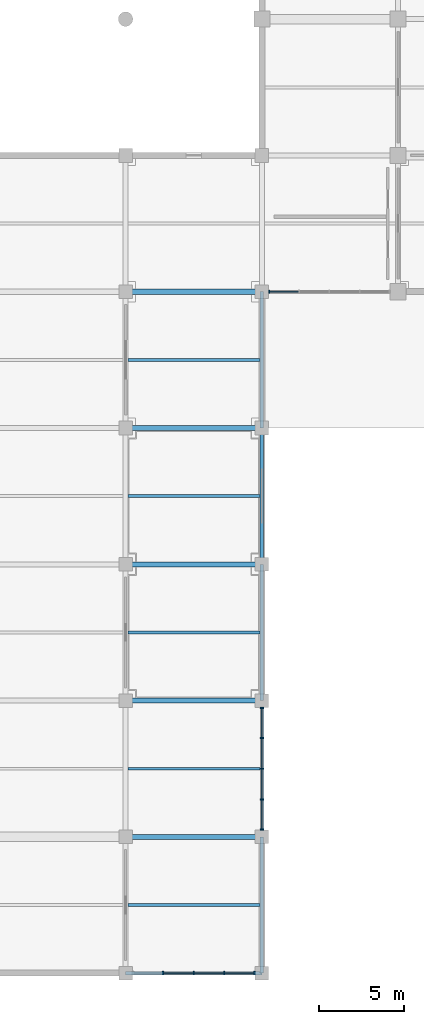
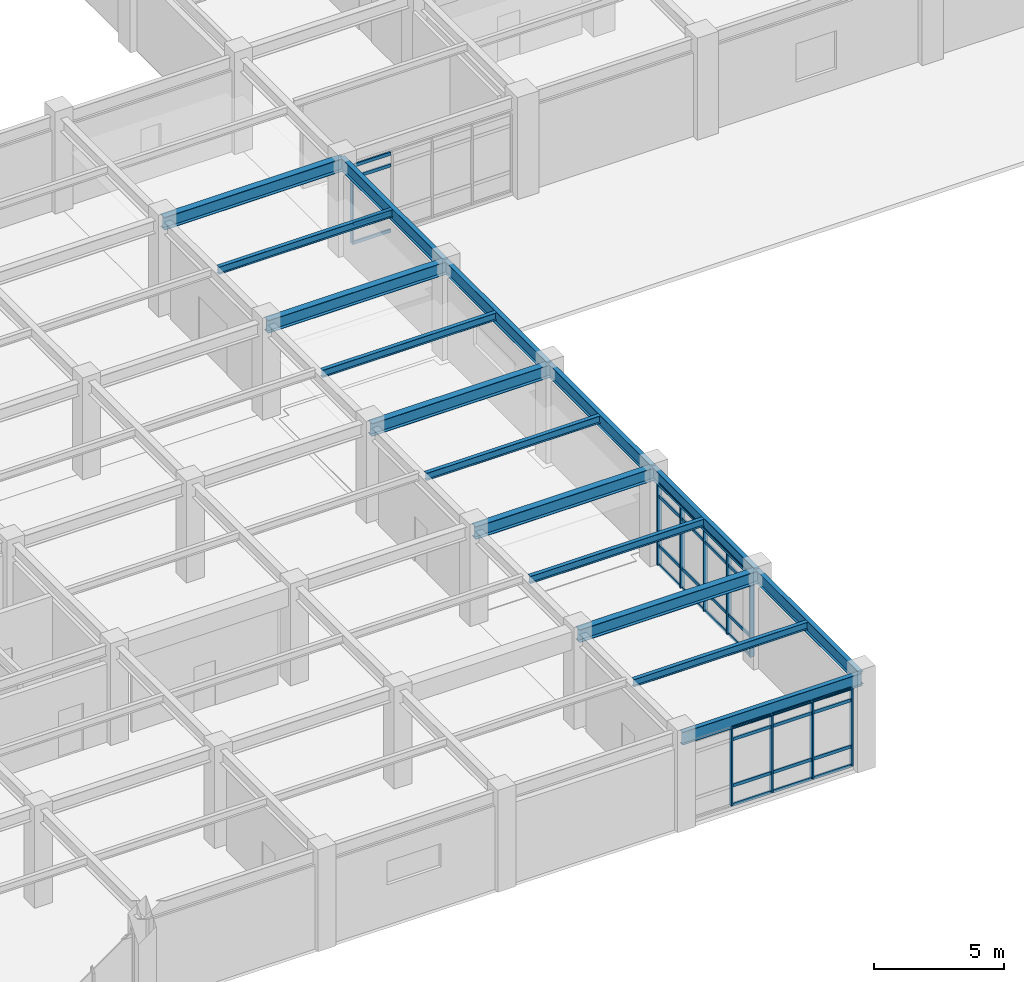
# One storey, part 26 of 109: 42 members, 16 beams, 3 elements without a shape of their own.
"""IFC4 building model written with IfcOpenShell, lengths in metres."""

from ifc_helpers import new_model, si_unit, direction, frame, origin, origin_2d, place, context, subcontext, project, spatial, rectangle, i_section, extrude, material, layer, layer_set, material_profile, profile_set, type_object, element, aggregate, save


model = new_model("IFC4")

# Units and contexts
model_context = context("Model", 3, precision=1e-05, world=origin(), true_north=direction((0.0, 1.0)))
body_context = subcontext(model_context, "Body", "Model", "MODEL_VIEW")
ifc_project = project(units=[si_unit("LENGTHUNIT", "METRE"), si_unit("AREAUNIT", "SQUARE_METRE"), si_unit("VOLUMEUNIT", "CUBIC_METRE"), si_unit("PLANEANGLEUNIT", "RADIAN"), si_unit("MASSUNIT", "GRAM", prefix="KILO")], contexts=[model_context])

# Site, building, storey
site_placement = place(None, origin())
site = spatial("IfcSite", under=ifc_project, at=site_placement, CompositionType="ELEMENT")
building_placement = place(site_placement, origin())
building = spatial("IfcBuilding", under=site, at=building_placement, Name="Haebicheon Civic Stadium", CompositionType="ELEMENT")
storey_placement = place(building_placement, frame((0.0, 0.0, 9.60009765625)))
storey = spatial("IfcBuildingStorey", under=building, at=storey_placement, Name="L03", CompositionType="ELEMENT", Elevation=9.60009765625)

# Beams
ifc_material_1 = material(Name="Steel SM355 (S355)", Category="steel")
ifc_material_profile_1 = material_profile(ifc_material_1, i_section(OverallWidth=0.300048828125, OverallDepth=0.60009765625, WebThickness=0.011962890625, FlangeThickness=0.02001953125, at=origin_2d()), Name="H-600x300x12x20")
ifc_profile_set_1 = profile_set([ifc_material_profile_1], Name="Steel SM355 (S355)")
beam_type_1 = type_object("IfcBeamType", Name="BM-ST-H600A", PredefinedType="BEAM", material=ifc_profile_set_1)
for number, where, z_axis, x_axis, name in (
    (1, (192.0, 8.0, 4.099853515625), (1.0, 0.0, 0.0), (0.0, 1.0, 0.0), "L03 beam B/25-26"),
    (2, (192.0, 16.0, 4.099853515625), (1.0, 0.0, 0.0), (0.0, 1.0, 0.0), "L03 beam C/25-26"),
    (3, (192.0, 24.0, 4.099853515625), (1.0, 0.0, 0.0), (0.0, 1.0, 0.0), "L03 beam D/25-26"),
    (4, (192.0, 32.0, 4.099853515625), (1.0, 0.0, 0.0), (0.0, 1.0, 0.0), "L03 beam E/25-26"),
    (5, (192.0, 40.0, 4.099853515625), (1.0, 0.0, 0.0), (0.0, 1.0, 0.0), "L03 beam F/25-26"),
):
    element("IfcBeam", number, at=place(storey_placement, frame(where, z_axis=z_axis, x_axis=x_axis)), inside=storey, type_object=beam_type_1, material=ifc_profile_set_1, Name=name, PredefinedType="BEAM", context=body_context, shape_type="SweptSolid", body=[
        extrude(i_section(OverallWidth=0.300048828125, OverallDepth=0.60009765625, WebThickness=0.011962890625, FlangeThickness=0.02001953125, at=origin_2d()), origin(), (0.0, 0.0, 1.0), 8.0),
    ])

# Curtain wall, members
ifc_material_2 = material(Name="Anodised aluminium and laminated glass", Category="aluminium")
ifc_layer_1 = layer(ifc_material_2, 0.179931640625, Name="Anodised aluminium and laminated glass")
ifc_layer_set_1 = layer_set([ifc_layer_1], Name="Anodised aluminium and laminated glass")
curtain_wall_type_1 = type_object("IfcCurtainWallType", Name="CW-7200x3630", PredefinedType="NOTDEFINED", material=ifc_layer_set_1)
curtain_wall_1_placement = place(storey_placement, origin())
curtain_wall_1 = element("IfcCurtainWall", 6, at=curtain_wall_1_placement, inside=storey, type_object=curtain_wall_type_1, material=ifc_layer_set_1, Name="L03 unitised curtain wall 094", PredefinedType="NOTDEFINED")
ifc_material_3 = material(Name="Anodised aluminium 6063-T6", Category="aluminium")
ifc_material_profile_2 = material_profile(ifc_material_3, rectangle(XDim=0.070068359375, YDim=0.199951171875, at=origin_2d()), Name="ALU-MULL-70x200")
ifc_profile_set_2 = profile_set([ifc_material_profile_2], Name="Anodised aluminium 6063-T6")
member_type_1 = type_object("IfcMemberType", Name="CWM-200x70", PredefinedType="MULLION", material=ifc_profile_set_2)
member_1_placement = place(storey_placement, frame((194.199951171875, 0.0, 0.159912109375), z_axis=(0.0, 0.0, 1.0), x_axis=(1.0, 0.0, 0.0)))
member_1 = element("IfcMember", 7, at=member_1_placement, type_object=member_type_1, material=ifc_profile_set_2, Name="CW-L03-094 vertical mullion 2", PredefinedType="MULLION", context=body_context, shape_type="SweptSolid", body=[
    extrude(rectangle(XDim=0.070068359375, YDim=0.199951171875, at=origin_2d()), origin(), (0.0, 0.0, 1.0), 3.6298828125),
])
member_2_placement = place(storey_placement, frame((196.0, 0.0, 0.159912109375), z_axis=(0.0, 0.0, 1.0), x_axis=(1.0, 0.0, 0.0)))
member_2 = element("IfcMember", 8, at=member_2_placement, type_object=member_type_1, material=ifc_profile_set_2, Name="CW-L03-094 vertical mullion 3", PredefinedType="MULLION", context=body_context, shape_type="SweptSolid", body=[
    extrude(rectangle(XDim=0.070068359375, YDim=0.199951171875, at=origin_2d()), origin(), (0.0, 0.0, 1.0), 3.6298828125),
])
member_3_placement = place(storey_placement, frame((197.800048828125, 0.0, 0.159912109375), z_axis=(0.0, 0.0, 1.0), x_axis=(1.0, 0.0, 0.0)))
member_3 = element("IfcMember", 9, at=member_3_placement, type_object=member_type_1, material=ifc_profile_set_2, Name="CW-L03-094 vertical mullion 4", PredefinedType="MULLION", context=body_context, shape_type="SweptSolid", body=[
    extrude(rectangle(XDim=0.070068359375, YDim=0.199951171875, at=origin_2d()), origin(), (0.0, 0.0, 1.0), 3.6298828125),
])
member_4_placement = place(storey_placement, frame((199.56494140625, 0.0, 0.159912109375), z_axis=(0.0, 0.0, 1.0), x_axis=(1.0, 0.0, 0.0)))
member_4 = element("IfcMember", 10, at=member_4_placement, type_object=member_type_1, material=ifc_profile_set_2, Name="CW-L03-094 vertical mullion 5", PredefinedType="MULLION", context=body_context, shape_type="SweptSolid", body=[
    extrude(rectangle(XDim=0.070068359375, YDim=0.199951171875, at=origin_2d()), origin(), (0.0, 0.0, 1.0), 3.6298828125),
])

ifc_material_4 = material(Name="Anodised aluminium and laminated glass", Category="aluminium")
ifc_layer_2 = layer(ifc_material_4, 0.179931640625, Name="Anodised aluminium and laminated glass")
ifc_layer_set_2 = layer_set([ifc_layer_2], Name="Anodised aluminium and laminated glass")
curtain_wall_type_2 = type_object("IfcCurtainWallType", Name="CW-7200x3790", PredefinedType="NOTDEFINED", material=ifc_layer_set_2)
curtain_wall_2_placement = place(storey_placement, origin())
curtain_wall_2 = element("IfcCurtainWall", 11, at=curtain_wall_2_placement, inside=storey, type_object=curtain_wall_type_2, material=ifc_layer_set_2, Name="L03 unitised curtain wall 095", PredefinedType="NOTDEFINED")
member_5_placement = place(storey_placement, frame((200.0, 8.43505859375, 0.0), z_axis=(0.0, 0.0, 1.0), x_axis=(0.0, 1.0, 0.0)))
member_5 = element("IfcMember", 12, at=member_5_placement, type_object=member_type_1, material=ifc_profile_set_2, Name="CW-L03-095 vertical mullion 1", PredefinedType="MULLION", context=body_context, shape_type="SweptSolid", body=[
    extrude(rectangle(XDim=0.070068359375, YDim=0.199951171875, at=origin_2d()), origin(), (0.0, 0.0, 1.0), 3.789794921875),
])
member_6_placement = place(storey_placement, frame((200.0, 10.199951171875, 0.0), z_axis=(0.0, 0.0, 1.0), x_axis=(0.0, 1.0, 0.0)))
member_6 = element("IfcMember", 13, at=member_6_placement, type_object=member_type_1, material=ifc_profile_set_2, Name="CW-L03-095 vertical mullion 2", PredefinedType="MULLION", context=body_context, shape_type="SweptSolid", body=[
    extrude(rectangle(XDim=0.070068359375, YDim=0.199951171875, at=origin_2d()), origin(), (0.0, 0.0, 1.0), 3.789794921875),
])
member_7_placement = place(storey_placement, frame((200.0, 12.0, 0.0), z_axis=(0.0, 0.0, 1.0), x_axis=(0.0, 1.0, 0.0)))
member_7 = element("IfcMember", 14, at=member_7_placement, type_object=member_type_1, material=ifc_profile_set_2, Name="CW-L03-095 vertical mullion 3", PredefinedType="MULLION", context=body_context, shape_type="SweptSolid", body=[
    extrude(rectangle(XDim=0.070068359375, YDim=0.199951171875, at=origin_2d()), origin(), (0.0, 0.0, 1.0), 3.789794921875),
])
member_8_placement = place(storey_placement, frame((200.0, 13.800048828125, 0.0), z_axis=(0.0, 0.0, 1.0), x_axis=(0.0, 1.0, 0.0)))
member_8 = element("IfcMember", 15, at=member_8_placement, type_object=member_type_1, material=ifc_profile_set_2, Name="CW-L03-095 vertical mullion 4", PredefinedType="MULLION", context=body_context, shape_type="SweptSolid", body=[
    extrude(rectangle(XDim=0.070068359375, YDim=0.199951171875, at=origin_2d()), origin(), (0.0, 0.0, 1.0), 3.789794921875),
])
member_9_placement = place(storey_placement, frame((200.0, 15.56494140625, 0.0), z_axis=(0.0, 0.0, 1.0), x_axis=(0.0, 1.0, 0.0)))
member_9 = element("IfcMember", 16, at=member_9_placement, type_object=member_type_1, material=ifc_profile_set_2, Name="CW-L03-095 vertical mullion 5", PredefinedType="MULLION", context=body_context, shape_type="SweptSolid", body=[
    extrude(rectangle(XDim=0.070068359375, YDim=0.199951171875, at=origin_2d()), origin(), (0.0, 0.0, 1.0), 3.789794921875),
])

# Curtain wall, member
ifc_material_5 = material(Name="Anodised aluminium and laminated glass", Category="aluminium")
ifc_layer_3 = layer(ifc_material_5, 0.179931640625, Name="Anodised aluminium and laminated glass")
ifc_layer_set_3 = layer_set([ifc_layer_3], Name="Anodised aluminium and laminated glass")
curtain_wall_type_3 = type_object("IfcCurtainWallType", Name="CW-7125x3630", PredefinedType="NOTDEFINED", material=ifc_layer_set_3)
curtain_wall_3_placement = place(storey_placement, origin())
curtain_wall_3 = element("IfcCurtainWall", 17, at=curtain_wall_3_placement, inside=storey, type_object=curtain_wall_type_3, material=ifc_layer_set_3, Name="L03 unitised curtain wall 097", PredefinedType="NOTDEFINED")
member_10_placement = place(storey_placement, frame((200.43505859375, 40.0, 0.159912109375), z_axis=(0.0, 0.0, 1.0), x_axis=(1.0, 0.0, 0.0)))
member_10 = element("IfcMember", 18, at=member_10_placement, type_object=member_type_1, material=ifc_profile_set_2, Name="CW-L03-097 vertical mullion 1", PredefinedType="MULLION", context=body_context, shape_type="SweptSolid", body=[
    extrude(rectangle(XDim=0.070068359375, YDim=0.199951171875, at=origin_2d()), origin(), (0.0, 0.0, 1.0), 3.6298828125),
])

# Member
ifc_material_6 = material(Name="Anodised aluminium 6063-T6", Category="aluminium")
ifc_material_profile_3 = material_profile(ifc_material_6, rectangle(XDim=0.070068359375, YDim=0.14990234375, at=origin_2d()), Name="ALU-TRAN-70x150")
ifc_profile_set_3 = profile_set([ifc_material_profile_3], Name="Anodised aluminium 6063-T6")
member_type_2 = type_object("IfcMemberType", Name="CWT-150x70", PredefinedType="NOTDEFINED", material=ifc_profile_set_3)
member_11_placement = place(storey_placement, frame((194.235107421875, 0.0, 0.159912109375), z_axis=(1.0, 0.0, 0.0), x_axis=(0.0, 1.0, 0.0)))
member_11 = element("IfcMember", 19, at=member_11_placement, type_object=member_type_2, material=ifc_profile_set_3, Name="CW-L03-094 horizontal transom 2.1", ObjectType="TRANSOM", PredefinedType="USERDEFINED", context=body_context, shape_type="SweptSolid", body=[
    extrude(rectangle(XDim=0.070068359375, YDim=0.14990234375, at=origin_2d()), origin(), (0.0, 0.0, 1.0), 1.72998046875),
])

member_12_placement = place(storey_placement, frame((194.235107421875, 0.0, 1.059814453125), z_axis=(1.0, 0.0, 0.0), x_axis=(0.0, 1.0, 0.0)))
member_12 = element("IfcMember", 20, at=member_12_placement, type_object=member_type_2, material=ifc_profile_set_3, Name="CW-L03-094 horizontal transom 2.2", ObjectType="TRANSOM", PredefinedType="USERDEFINED", context=body_context, shape_type="SweptSolid", body=[
    extrude(rectangle(XDim=0.070068359375, YDim=0.14990234375, at=origin_2d()), origin(), (0.0, 0.0, 1.0), 1.72998046875),
])

member_13_placement = place(storey_placement, frame((194.235107421875, 0.0, 3.239990234375), z_axis=(1.0, 0.0, 0.0), x_axis=(0.0, 1.0, 0.0)))
member_13 = element("IfcMember", 21, at=member_13_placement, type_object=member_type_2, material=ifc_profile_set_3, Name="CW-L03-094 horizontal transom 2.3", ObjectType="TRANSOM", PredefinedType="USERDEFINED", context=body_context, shape_type="SweptSolid", body=[
    extrude(rectangle(XDim=0.070068359375, YDim=0.14990234375, at=origin_2d()), origin(), (0.0, 0.0, 1.0), 1.72998046875),
])

member_14_placement = place(storey_placement, frame((194.235107421875, 0.0, 3.789794921875), z_axis=(1.0, 0.0, 0.0), x_axis=(0.0, 1.0, 0.0)))
member_14 = element("IfcMember", 22, at=member_14_placement, type_object=member_type_2, material=ifc_profile_set_3, Name="CW-L03-094 horizontal transom 2.4", ObjectType="TRANSOM", PredefinedType="USERDEFINED", context=body_context, shape_type="SweptSolid", body=[
    extrude(rectangle(XDim=0.070068359375, YDim=0.14990234375, at=origin_2d()), origin(), (0.0, 0.0, 1.0), 1.72998046875),
])

member_15_placement = place(storey_placement, frame((196.034912109375, 0.0, 0.159912109375), z_axis=(1.0, 0.0, 0.0), x_axis=(0.0, 1.0, 0.0)))
member_15 = element("IfcMember", 23, at=member_15_placement, type_object=member_type_2, material=ifc_profile_set_3, Name="CW-L03-094 horizontal transom 3.1", ObjectType="TRANSOM", PredefinedType="USERDEFINED", context=body_context, shape_type="SweptSolid", body=[
    extrude(rectangle(XDim=0.070068359375, YDim=0.14990234375, at=origin_2d()), origin(), (0.0, 0.0, 1.0), 1.72998046875),
])

member_16_placement = place(storey_placement, frame((196.034912109375, 0.0, 1.059814453125), z_axis=(1.0, 0.0, 0.0), x_axis=(0.0, 1.0, 0.0)))
member_16 = element("IfcMember", 24, at=member_16_placement, type_object=member_type_2, material=ifc_profile_set_3, Name="CW-L03-094 horizontal transom 3.2", ObjectType="TRANSOM", PredefinedType="USERDEFINED", context=body_context, shape_type="SweptSolid", body=[
    extrude(rectangle(XDim=0.070068359375, YDim=0.14990234375, at=origin_2d()), origin(), (0.0, 0.0, 1.0), 1.72998046875),
])

member_17_placement = place(storey_placement, frame((196.034912109375, 0.0, 3.239990234375), z_axis=(1.0, 0.0, 0.0), x_axis=(0.0, 1.0, 0.0)))
member_17 = element("IfcMember", 25, at=member_17_placement, type_object=member_type_2, material=ifc_profile_set_3, Name="CW-L03-094 horizontal transom 3.3", ObjectType="TRANSOM", PredefinedType="USERDEFINED", context=body_context, shape_type="SweptSolid", body=[
    extrude(rectangle(XDim=0.070068359375, YDim=0.14990234375, at=origin_2d()), origin(), (0.0, 0.0, 1.0), 1.72998046875),
])

member_18_placement = place(storey_placement, frame((196.034912109375, 0.0, 3.789794921875), z_axis=(1.0, 0.0, 0.0), x_axis=(0.0, 1.0, 0.0)))
member_18 = element("IfcMember", 26, at=member_18_placement, type_object=member_type_2, material=ifc_profile_set_3, Name="CW-L03-094 horizontal transom 3.4", ObjectType="TRANSOM", PredefinedType="USERDEFINED", context=body_context, shape_type="SweptSolid", body=[
    extrude(rectangle(XDim=0.070068359375, YDim=0.14990234375, at=origin_2d()), origin(), (0.0, 0.0, 1.0), 1.72998046875),
])

member_19_placement = place(storey_placement, frame((197.8349609375, 0.0, 0.159912109375), z_axis=(1.0, 0.0, 0.0), x_axis=(0.0, 1.0, 0.0)))
member_19 = element("IfcMember", 27, at=member_19_placement, type_object=member_type_2, material=ifc_profile_set_3, Name="CW-L03-094 horizontal transom 4.1", ObjectType="TRANSOM", PredefinedType="USERDEFINED", context=body_context, shape_type="SweptSolid", body=[
    extrude(rectangle(XDim=0.070068359375, YDim=0.14990234375, at=origin_2d()), origin(), (0.0, 0.0, 1.0), 1.695068359375),
])

member_20_placement = place(storey_placement, frame((197.8349609375, 0.0, 1.059814453125), z_axis=(1.0, 0.0, 0.0), x_axis=(0.0, 1.0, 0.0)))
member_20 = element("IfcMember", 28, at=member_20_placement, type_object=member_type_2, material=ifc_profile_set_3, Name="CW-L03-094 horizontal transom 4.2", ObjectType="TRANSOM", PredefinedType="USERDEFINED", context=body_context, shape_type="SweptSolid", body=[
    extrude(rectangle(XDim=0.070068359375, YDim=0.14990234375, at=origin_2d()), origin(), (0.0, 0.0, 1.0), 1.695068359375),
])

member_21_placement = place(storey_placement, frame((197.8349609375, 0.0, 3.239990234375), z_axis=(1.0, 0.0, 0.0), x_axis=(0.0, 1.0, 0.0)))
member_21 = element("IfcMember", 29, at=member_21_placement, type_object=member_type_2, material=ifc_profile_set_3, Name="CW-L03-094 horizontal transom 4.3", ObjectType="TRANSOM", PredefinedType="USERDEFINED", context=body_context, shape_type="SweptSolid", body=[
    extrude(rectangle(XDim=0.070068359375, YDim=0.14990234375, at=origin_2d()), origin(), (0.0, 0.0, 1.0), 1.695068359375),
])

member_22_placement = place(storey_placement, frame((197.8349609375, 0.0, 3.789794921875), z_axis=(1.0, 0.0, 0.0), x_axis=(0.0, 1.0, 0.0)))
member_22 = element("IfcMember", 30, at=member_22_placement, type_object=member_type_2, material=ifc_profile_set_3, Name="CW-L03-094 horizontal transom 4.4", ObjectType="TRANSOM", PredefinedType="USERDEFINED", context=body_context, shape_type="SweptSolid", body=[
    extrude(rectangle(XDim=0.070068359375, YDim=0.14990234375, at=origin_2d()), origin(), (0.0, 0.0, 1.0), 1.695068359375),
])

aggregate(curtain_wall_1, [member_1, member_2, member_3, member_4, member_11, member_12, member_13, member_14, member_15, member_16, member_17, member_18, member_19, member_20, member_21, member_22])

member_23_placement = place(storey_placement, frame((200.0, 8.469970703125, 0.0), z_axis=(0.0, 1.0, 0.0), x_axis=(-1.0, 0.0, 0.0)))
member_23 = element("IfcMember", 31, at=member_23_placement, type_object=member_type_2, material=ifc_profile_set_3, Name="CW-L03-095 horizontal transom 1.1", ObjectType="TRANSOM", PredefinedType="USERDEFINED", context=body_context, shape_type="SweptSolid", body=[
    extrude(rectangle(XDim=0.070068359375, YDim=0.14990234375, at=origin_2d()), origin(), (0.0, 0.0, 1.0), 1.695068359375),
])

member_24_placement = place(storey_placement, frame((200.0, 8.469970703125, 0.89990234375), z_axis=(0.0, 1.0, 0.0), x_axis=(-1.0, 0.0, 0.0)))
member_24 = element("IfcMember", 32, at=member_24_placement, type_object=member_type_2, material=ifc_profile_set_3, Name="CW-L03-095 horizontal transom 1.2", ObjectType="TRANSOM", PredefinedType="USERDEFINED", context=body_context, shape_type="SweptSolid", body=[
    extrude(rectangle(XDim=0.070068359375, YDim=0.14990234375, at=origin_2d()), origin(), (0.0, 0.0, 1.0), 1.695068359375),
])

member_25_placement = place(storey_placement, frame((200.0, 8.469970703125, 3.239990234375), z_axis=(0.0, 1.0, 0.0), x_axis=(-1.0, 0.0, 0.0)))
member_25 = element("IfcMember", 33, at=member_25_placement, type_object=member_type_2, material=ifc_profile_set_3, Name="CW-L03-095 horizontal transom 1.3", ObjectType="TRANSOM", PredefinedType="USERDEFINED", context=body_context, shape_type="SweptSolid", body=[
    extrude(rectangle(XDim=0.070068359375, YDim=0.14990234375, at=origin_2d()), origin(), (0.0, 0.0, 1.0), 1.695068359375),
])

member_26_placement = place(storey_placement, frame((200.0, 8.469970703125, 3.789794921875), z_axis=(0.0, 1.0, 0.0), x_axis=(-1.0, 0.0, 0.0)))
member_26 = element("IfcMember", 34, at=member_26_placement, type_object=member_type_2, material=ifc_profile_set_3, Name="CW-L03-095 horizontal transom 1.4", ObjectType="TRANSOM", PredefinedType="USERDEFINED", context=body_context, shape_type="SweptSolid", body=[
    extrude(rectangle(XDim=0.070068359375, YDim=0.14990234375, at=origin_2d()), origin(), (0.0, 0.0, 1.0), 1.695068359375),
])

member_27_placement = place(storey_placement, frame((200.0, 10.235107421875, 0.0), z_axis=(0.0, 1.0, 0.0), x_axis=(-1.0, 0.0, 0.0)))
member_27 = element("IfcMember", 35, at=member_27_placement, type_object=member_type_2, material=ifc_profile_set_3, Name="CW-L03-095 horizontal transom 2.1", ObjectType="TRANSOM", PredefinedType="USERDEFINED", context=body_context, shape_type="SweptSolid", body=[
    extrude(rectangle(XDim=0.070068359375, YDim=0.14990234375, at=origin_2d()), origin(), (0.0, 0.0, 1.0), 1.72998046875),
])

member_28_placement = place(storey_placement, frame((200.0, 10.235107421875, 0.89990234375), z_axis=(0.0, 1.0, 0.0), x_axis=(-1.0, 0.0, 0.0)))
member_28 = element("IfcMember", 36, at=member_28_placement, type_object=member_type_2, material=ifc_profile_set_3, Name="CW-L03-095 horizontal transom 2.2", ObjectType="TRANSOM", PredefinedType="USERDEFINED", context=body_context, shape_type="SweptSolid", body=[
    extrude(rectangle(XDim=0.070068359375, YDim=0.14990234375, at=origin_2d()), origin(), (0.0, 0.0, 1.0), 1.72998046875),
])

member_29_placement = place(storey_placement, frame((200.0, 10.235107421875, 3.239990234375), z_axis=(0.0, 1.0, 0.0), x_axis=(-1.0, 0.0, 0.0)))
member_29 = element("IfcMember", 37, at=member_29_placement, type_object=member_type_2, material=ifc_profile_set_3, Name="CW-L03-095 horizontal transom 2.3", ObjectType="TRANSOM", PredefinedType="USERDEFINED", context=body_context, shape_type="SweptSolid", body=[
    extrude(rectangle(XDim=0.070068359375, YDim=0.14990234375, at=origin_2d()), origin(), (0.0, 0.0, 1.0), 1.72998046875),
])

member_30_placement = place(storey_placement, frame((200.0, 10.235107421875, 3.789794921875), z_axis=(0.0, 1.0, 0.0), x_axis=(-1.0, 0.0, 0.0)))
member_30 = element("IfcMember", 38, at=member_30_placement, type_object=member_type_2, material=ifc_profile_set_3, Name="CW-L03-095 horizontal transom 2.4", ObjectType="TRANSOM", PredefinedType="USERDEFINED", context=body_context, shape_type="SweptSolid", body=[
    extrude(rectangle(XDim=0.070068359375, YDim=0.14990234375, at=origin_2d()), origin(), (0.0, 0.0, 1.0), 1.72998046875),
])

member_31_placement = place(storey_placement, frame((200.0, 12.034912109375, 0.0), z_axis=(0.0, 1.0, 0.0), x_axis=(-1.0, 0.0, 0.0)))
member_31 = element("IfcMember", 39, at=member_31_placement, type_object=member_type_2, material=ifc_profile_set_3, Name="CW-L03-095 horizontal transom 3.1", ObjectType="TRANSOM", PredefinedType="USERDEFINED", context=body_context, shape_type="SweptSolid", body=[
    extrude(rectangle(XDim=0.070068359375, YDim=0.14990234375, at=origin_2d()), origin(), (0.0, 0.0, 1.0), 1.72998046875),
])

member_32_placement = place(storey_placement, frame((200.0, 12.034912109375, 0.89990234375), z_axis=(0.0, 1.0, 0.0), x_axis=(-1.0, 0.0, 0.0)))
member_32 = element("IfcMember", 40, at=member_32_placement, type_object=member_type_2, material=ifc_profile_set_3, Name="CW-L03-095 horizontal transom 3.2", ObjectType="TRANSOM", PredefinedType="USERDEFINED", context=body_context, shape_type="SweptSolid", body=[
    extrude(rectangle(XDim=0.070068359375, YDim=0.14990234375, at=origin_2d()), origin(), (0.0, 0.0, 1.0), 1.72998046875),
])

member_33_placement = place(storey_placement, frame((200.0, 12.034912109375, 3.239990234375), z_axis=(0.0, 1.0, 0.0), x_axis=(-1.0, 0.0, 0.0)))
member_33 = element("IfcMember", 41, at=member_33_placement, type_object=member_type_2, material=ifc_profile_set_3, Name="CW-L03-095 horizontal transom 3.3", ObjectType="TRANSOM", PredefinedType="USERDEFINED", context=body_context, shape_type="SweptSolid", body=[
    extrude(rectangle(XDim=0.070068359375, YDim=0.14990234375, at=origin_2d()), origin(), (0.0, 0.0, 1.0), 1.72998046875),
])

member_34_placement = place(storey_placement, frame((200.0, 12.034912109375, 3.789794921875), z_axis=(0.0, 1.0, 0.0), x_axis=(-1.0, 0.0, 0.0)))
member_34 = element("IfcMember", 42, at=member_34_placement, type_object=member_type_2, material=ifc_profile_set_3, Name="CW-L03-095 horizontal transom 3.4", ObjectType="TRANSOM", PredefinedType="USERDEFINED", context=body_context, shape_type="SweptSolid", body=[
    extrude(rectangle(XDim=0.070068359375, YDim=0.14990234375, at=origin_2d()), origin(), (0.0, 0.0, 1.0), 1.72998046875),
])

member_35_placement = place(storey_placement, frame((200.0, 13.8349609375, 0.0), z_axis=(0.0, 1.0, 0.0), x_axis=(-1.0, 0.0, 0.0)))
member_35 = element("IfcMember", 43, at=member_35_placement, type_object=member_type_2, material=ifc_profile_set_3, Name="CW-L03-095 horizontal transom 4.1", ObjectType="TRANSOM", PredefinedType="USERDEFINED", context=body_context, shape_type="SweptSolid", body=[
    extrude(rectangle(XDim=0.070068359375, YDim=0.14990234375, at=origin_2d()), origin(), (0.0, 0.0, 1.0), 1.695068359375),
])

member_36_placement = place(storey_placement, frame((200.0, 13.8349609375, 0.89990234375), z_axis=(0.0, 1.0, 0.0), x_axis=(-1.0, 0.0, 0.0)))
member_36 = element("IfcMember", 44, at=member_36_placement, type_object=member_type_2, material=ifc_profile_set_3, Name="CW-L03-095 horizontal transom 4.2", ObjectType="TRANSOM", PredefinedType="USERDEFINED", context=body_context, shape_type="SweptSolid", body=[
    extrude(rectangle(XDim=0.070068359375, YDim=0.14990234375, at=origin_2d()), origin(), (0.0, 0.0, 1.0), 1.695068359375),
])

member_37_placement = place(storey_placement, frame((200.0, 13.8349609375, 3.239990234375), z_axis=(0.0, 1.0, 0.0), x_axis=(-1.0, 0.0, 0.0)))
member_37 = element("IfcMember", 45, at=member_37_placement, type_object=member_type_2, material=ifc_profile_set_3, Name="CW-L03-095 horizontal transom 4.3", ObjectType="TRANSOM", PredefinedType="USERDEFINED", context=body_context, shape_type="SweptSolid", body=[
    extrude(rectangle(XDim=0.070068359375, YDim=0.14990234375, at=origin_2d()), origin(), (0.0, 0.0, 1.0), 1.695068359375),
])

member_38_placement = place(storey_placement, frame((200.0, 13.8349609375, 3.789794921875), z_axis=(0.0, 1.0, 0.0), x_axis=(-1.0, 0.0, 0.0)))
member_38 = element("IfcMember", 46, at=member_38_placement, type_object=member_type_2, material=ifc_profile_set_3, Name="CW-L03-095 horizontal transom 4.4", ObjectType="TRANSOM", PredefinedType="USERDEFINED", context=body_context, shape_type="SweptSolid", body=[
    extrude(rectangle(XDim=0.070068359375, YDim=0.14990234375, at=origin_2d()), origin(), (0.0, 0.0, 1.0), 1.695068359375),
])

aggregate(curtain_wall_2, [member_5, member_6, member_7, member_8, member_9, member_23, member_24, member_25, member_26, member_27, member_28, member_29, member_30, member_31, member_32, member_33, member_34, member_35, member_36, member_37, member_38])

member_39_placement = place(storey_placement, frame((200.469970703125, 40.0, 0.159912109375), z_axis=(1.0, 0.0, 0.0), x_axis=(0.0, 1.0, 0.0)))
member_39 = element("IfcMember", 47, at=member_39_placement, type_object=member_type_2, material=ifc_profile_set_3, Name="CW-L03-097 horizontal transom 1.1", ObjectType="TRANSOM", PredefinedType="USERDEFINED", context=body_context, shape_type="SweptSolid", body=[
    extrude(rectangle(XDim=0.070068359375, YDim=0.14990234375, at=origin_2d()), origin(), (0.0, 0.0, 1.0), 1.676025390625),
])

member_40_placement = place(storey_placement, frame((200.469970703125, 40.0, 1.059814453125), z_axis=(1.0, 0.0, 0.0), x_axis=(0.0, 1.0, 0.0)))
member_40 = element("IfcMember", 48, at=member_40_placement, type_object=member_type_2, material=ifc_profile_set_3, Name="CW-L03-097 horizontal transom 1.2", ObjectType="TRANSOM", PredefinedType="USERDEFINED", context=body_context, shape_type="SweptSolid", body=[
    extrude(rectangle(XDim=0.070068359375, YDim=0.14990234375, at=origin_2d()), origin(), (0.0, 0.0, 1.0), 1.676025390625),
])

member_41_placement = place(storey_placement, frame((200.469970703125, 40.0, 3.239990234375), z_axis=(1.0, 0.0, 0.0), x_axis=(0.0, 1.0, 0.0)))
member_41 = element("IfcMember", 49, at=member_41_placement, type_object=member_type_2, material=ifc_profile_set_3, Name="CW-L03-097 horizontal transom 1.3", ObjectType="TRANSOM", PredefinedType="USERDEFINED", context=body_context, shape_type="SweptSolid", body=[
    extrude(rectangle(XDim=0.070068359375, YDim=0.14990234375, at=origin_2d()), origin(), (0.0, 0.0, 1.0), 1.676025390625),
])

member_42_placement = place(storey_placement, frame((200.469970703125, 40.0, 3.789794921875), z_axis=(1.0, 0.0, 0.0), x_axis=(0.0, 1.0, 0.0)))
member_42 = element("IfcMember", 50, at=member_42_placement, type_object=member_type_2, material=ifc_profile_set_3, Name="CW-L03-097 horizontal transom 1.4", ObjectType="TRANSOM", PredefinedType="USERDEFINED", context=body_context, shape_type="SweptSolid", body=[
    extrude(rectangle(XDim=0.070068359375, YDim=0.14990234375, at=origin_2d()), origin(), (0.0, 0.0, 1.0), 1.676025390625),
])

aggregate(curtain_wall_3, [member_10, member_39, member_40, member_41, member_42])

# Beams
ifc_material_7 = material(Name="Steel SM355 (S355)", Category="steel")
ifc_material_profile_4 = material_profile(ifc_material_7, i_section(OverallWidth=0.175048828125, OverallDepth=0.35009765625, WebThickness=0.007080078125, FlangeThickness=0.010986328125, at=origin_2d()), Name="H-350x175x7x11")
ifc_profile_set_4 = profile_set([ifc_material_profile_4], Name="Steel SM355 (S355)")
beam_type_2 = type_object("IfcBeamType", Name="JST-ST-H350", PredefinedType="JOIST", material=ifc_profile_set_4)
for number, where, z_axis, x_axis, name in (
    (51, (192.14990234375, 4.0, 4.224853515625), (1.0, 0.0, 0.0), (0.0, 1.0, 0.0), "L03 secondary joist 24-00"),
    (52, (192.14990234375, 12.0, 4.224853515625), (1.0, 0.0, 0.0), (0.0, 1.0, 0.0), "L03 secondary joist 24-01"),
    (53, (192.14990234375, 20.0, 4.224853515625), (1.0, 0.0, 0.0), (0.0, 1.0, 0.0), "L03 secondary joist 24-02"),
    (54, (192.14990234375, 28.0, 4.224853515625), (1.0, 0.0, 0.0), (0.0, 1.0, 0.0), "L03 secondary joist 24-03"),
    (55, (192.14990234375, 36.0, 4.224853515625), (1.0, 0.0, 0.0), (0.0, 1.0, 0.0), "L03 secondary joist 24-04"),
):
    element("IfcBeam", number, at=place(storey_placement, frame(where, z_axis=z_axis, x_axis=x_axis)), inside=storey, type_object=beam_type_2, material=ifc_profile_set_4, Name=name, PredefinedType="JOIST", context=body_context, shape_type="SweptSolid", body=[
        extrude(i_section(OverallWidth=0.175048828125, OverallDepth=0.35009765625, WebThickness=0.007080078125, FlangeThickness=0.010986328125, at=origin_2d()), origin(), (0.0, 0.0, 1.0), 7.75),
    ])
ifc_material_8 = material(Name="Steel SM355 (S355)", Category="steel")
ifc_material_profile_5 = material_profile(ifc_material_8, i_section(OverallWidth=0.199951171875, OverallDepth=0.60009765625, WebThickness=0.010986328125, FlangeThickness=0.01708984375, at=origin_2d()), Name="H-600x200x11x17")
ifc_profile_set_5 = profile_set([ifc_material_profile_5], Name="Steel SM355 (S355)")
beam_type_3 = type_object("IfcBeamType", Name="SPD-ST-H600B", PredefinedType="SPANDREL", material=ifc_profile_set_5)
for number, where, z_axis, x_axis, name in (
    (56, (200.0, 0.0, 4.099853515625), (0.0, 1.0, 0.0), (-1.0, 0.0, 0.0), "L03 girder 26/A-B"),
    (57, (200.0, 8.0, 4.099853515625), (0.0, 1.0, 0.0), (-1.0, 0.0, 0.0), "L03 girder 26/B-C"),
    (58, (200.0, 16.0, 4.099853515625), (0.0, 1.0, 0.0), (-1.0, 0.0, 0.0), "L03 girder 26/C-D"),
    (59, (200.0, 24.0, 4.099853515625), (0.0, 1.0, 0.0), (-1.0, 0.0, 0.0), "L03 girder 26/D-E"),
    (60, (200.0, 32.0, 4.099853515625), (0.0, 1.0, 0.0), (-1.0, 0.0, 0.0), "L03 girder 26/E-F"),
    (61, (192.0, 0.0, 4.099853515625), (1.0, 0.0, 0.0), (0.0, 1.0, 0.0), "L03 beam A/25-26"),
):
    element("IfcBeam", number, at=place(storey_placement, frame(where, z_axis=z_axis, x_axis=x_axis)), inside=storey, type_object=beam_type_3, material=ifc_profile_set_5, Name=name, PredefinedType="SPANDREL", context=body_context, shape_type="SweptSolid", body=[
        extrude(i_section(OverallWidth=0.199951171875, OverallDepth=0.60009765625, WebThickness=0.010986328125, FlangeThickness=0.01708984375, at=origin_2d()), origin(), (0.0, 0.0, 1.0), 8.0),
    ])

save(model, "model.ifc")
